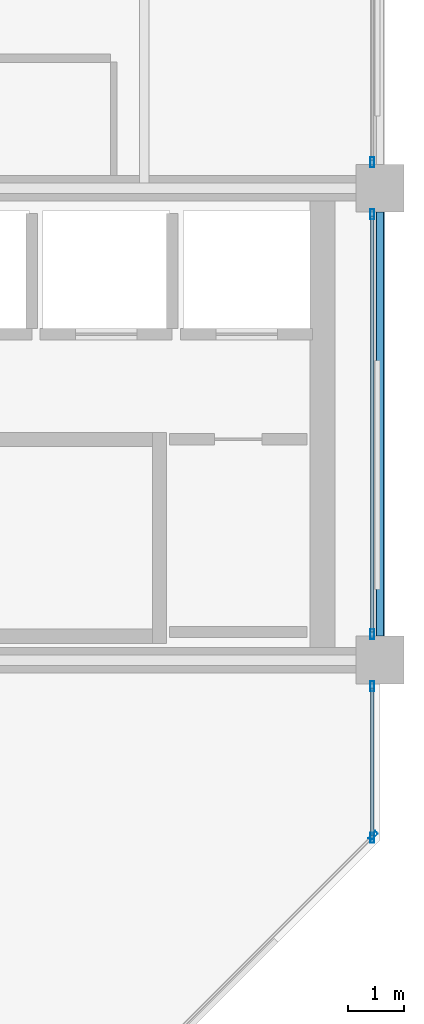
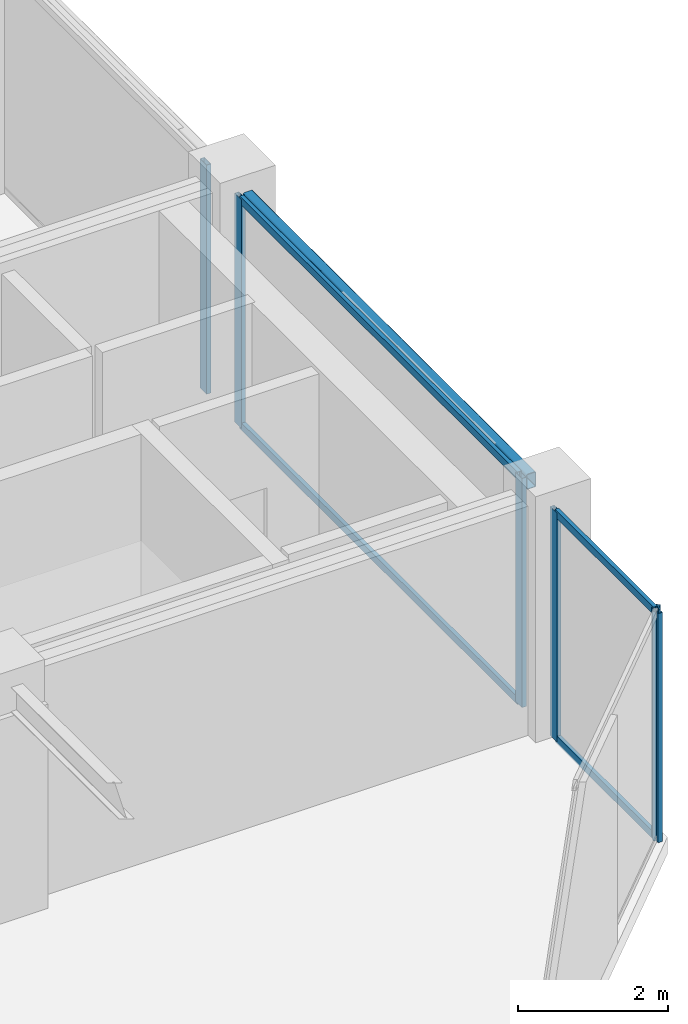
# One storey, part 14 of 24: 10 members, 1 beam, 4 elements without a shape of their own.
"""IFC4 building model written with IfcOpenShell, lengths in metres."""

from ifc_helpers import new_model, si_unit, direction, frame, origin, origin_2d, place, context, subcontext, project, spatial, hollow_rectangle, extrude, material, layer, layer_set, material_profile, profile_set, type_object, element, aggregate, save


model = new_model("IFC4")

# Units and contexts
model_context = context("Model", 3, precision=1e-05, world=origin(), true_north=direction((0.0, 1.0)))
body_context = subcontext(model_context, "Body", "Model", "MODEL_VIEW")
ifc_project = project(units=[si_unit("LENGTHUNIT", "METRE"), si_unit("AREAUNIT", "SQUARE_METRE"), si_unit("VOLUMEUNIT", "CUBIC_METRE"), si_unit("PLANEANGLEUNIT", "RADIAN"), si_unit("MASSUNIT", "GRAM", prefix="KILO")], contexts=[model_context])

# Site, building, storey
site_placement = place(None, origin())
site = spatial("IfcSite", under=ifc_project, at=site_placement, CompositionType="ELEMENT")
building_placement = place(site_placement, origin())
building = spatial("IfcBuilding", under=site, at=building_placement, Name="Nerrivon Quay Data Exchange", CompositionType="ELEMENT")
storey_placement = place(building_placement, frame((0.0, 0.0, 294.199951171875)))
storey = spatial("IfcBuildingStorey", under=building, at=storey_placement, Name="L70", CompositionType="ELEMENT", Elevation=294.199951171875)

# Beam
ifc_material_1 = material(Name="Steel Grade C350L0 (350 MPa)", Category="steel")
ifc_material_profile_1 = material_profile(ifc_material_1, hollow_rectangle(XDim=0.14990234375, YDim=0.25, WallThickness=0.009033203125, InnerFilletRadius=0.013427734375, OuterFilletRadius=0.0224609375, at=origin_2d()), Name="250x150x9.0RHS")
ifc_profile_set_1 = profile_set([ifc_material_profile_1], Name="Steel Grade C350L0 (350 MPa)")
beam_type = type_object("IfcBeamType", Name="BM-SP4-250x150RHS", PredefinedType="SPANDREL", material=ifc_profile_set_1)
beam_placement = place(storey_placement, frame((33.60009765625, 8.824951171875, 3.60009765625), z_axis=(0.0, 1.0, 0.0), x_axis=(-1.0, 0.0, 0.0)))
element("IfcBeam", 1, at=beam_placement, inside=storey, type_object=beam_type, Name="L70 NS Girder X=33.6 (8.4..16.8)", PredefinedType="SPANDREL", context=body_context, shape_type="SweptSolid", body=[
    extrude(hollow_rectangle(XDim=0.14990234375, YDim=0.25, WallThickness=0.009033203125, InnerFilletRadius=0.013427734375, OuterFilletRadius=0.0224609375, at=origin_2d()), origin(), (0.0, 0.0, 1.0), 7.550048828125),
])

# Curtain wall, member
ifc_material_2 = material(Name="Anodised aluminium 6063-T6", Category="aluminium")
ifc_layer = layer(ifc_material_2, 0.195068359375)
ifc_layer_set = layer_set([ifc_layer], Name="Anodised aluminium 6063-T6")
curtain_wall_type = type_object("IfcCurtainWallType", Name="CW-SYS-06", PredefinedType="NOTDEFINED", material=ifc_layer_set)
curtain_wall_1_placement = place(storey_placement, origin())
curtain_wall_1 = element("IfcCurtainWall", 2, at=curtain_wall_1_placement, inside=storey, type_object=curtain_wall_type, Name="L70 Unitised Curtain Wall 1", PredefinedType="NOTDEFINED")
ifc_material_profile_2 = material_profile(ifc_material_2, hollow_rectangle(XDim=0.06494140625, YDim=0.179931640625, WallThickness=0.00341796875, at=origin_2d()), Name="ALU-MULL-180x65")
ifc_profile_set_2 = profile_set([ifc_material_profile_2], Name="Anodised aluminium 6063-T6")
member_type_1 = type_object("IfcMemberType", Name="CWM-180x65", PredefinedType="MULLION", material=ifc_profile_set_2)
member_1_placement = place(storey_placement, frame((33.474365234375, 5.2724609375, 0.0), z_axis=(0.0, 0.0, 1.0), x_axis=(0.707106781187, -0.707106781187, 0.0)))
member_1 = element("IfcMember", 3, at=member_1_placement, type_object=member_type_1, Name="CW06 mullion 1", PredefinedType="MULLION", context=body_context, shape_type="SweptSolid", body=[
    extrude(hollow_rectangle(XDim=0.06494140625, YDim=0.179931640625, WallThickness=0.00341796875, at=origin_2d()), origin(), (0.0, 0.0, 1.0), 3.72509765625),
])
aggregate(curtain_wall_1, [member_1])

curtain_wall_2_placement = place(storey_placement, origin())
curtain_wall_2 = element("IfcCurtainWall", 4, at=curtain_wall_2_placement, inside=storey, type_object=curtain_wall_type, Name="L70 Unitised Curtain Wall 22", PredefinedType="NOTDEFINED")
member_2_placement = place(storey_placement, frame((33.4599609375, 17.262451171875, 0.0), z_axis=(0.0, 0.0, 1.0), x_axis=(1.0, 0.0, 0.0)))
member_2 = element("IfcMember", 5, at=member_2_placement, type_object=member_type_1, Name="CW06 mullion 2", PredefinedType="MULLION", context=body_context, shape_type="SweptSolid", body=[
    extrude(hollow_rectangle(XDim=0.06494140625, YDim=0.179931640625, WallThickness=0.00341796875, at=origin_2d()), origin(), (0.0, 0.0, 1.0), 3.72509765625),
])
aggregate(curtain_wall_2, [member_2])

# Curtain wall, members
curtain_wall_3_placement = place(storey_placement, origin())
curtain_wall_3 = element("IfcCurtainWall", 6, at=curtain_wall_3_placement, inside=storey, type_object=curtain_wall_type, Name="L70 Unitised Curtain Wall 23", PredefinedType="NOTDEFINED")
member_3_placement = place(storey_placement, frame((33.4599609375, 16.33740234375, 0.0), z_axis=(0.0, 0.0, 1.0), x_axis=(1.0, 0.0, 0.0)))
member_3 = element("IfcMember", 7, at=member_3_placement, type_object=member_type_1, Name="CW06 mullion 1", PredefinedType="MULLION", context=body_context, shape_type="SweptSolid", body=[
    extrude(hollow_rectangle(XDim=0.06494140625, YDim=0.179931640625, WallThickness=0.00341796875, at=origin_2d()), origin(), (0.0, 0.0, 1.0), 3.72509765625),
])
member_4_placement = place(storey_placement, frame((33.4599609375, 8.862548828125, 0.0), z_axis=(0.0, 0.0, 1.0), x_axis=(1.0, 0.0, 0.0)))
member_4 = element("IfcMember", 8, at=member_4_placement, type_object=member_type_1, Name="CW06 mullion 2", PredefinedType="MULLION", context=body_context, shape_type="SweptSolid", body=[
    extrude(hollow_rectangle(XDim=0.06494140625, YDim=0.179931640625, WallThickness=0.00341796875, at=origin_2d()), origin(), (0.0, 0.0, 1.0), 3.72509765625),
])

curtain_wall_4_placement = place(storey_placement, origin())
curtain_wall_4 = element("IfcCurtainWall", 9, at=curtain_wall_4_placement, inside=storey, type_object=curtain_wall_type, Name="L70 Unitised Curtain Wall 24", PredefinedType="NOTDEFINED")
member_5_placement = place(storey_placement, frame((33.4599609375, 7.9375, 0.0), z_axis=(0.0, 0.0, 1.0), x_axis=(1.0, 0.0, 0.0)))
member_5 = element("IfcMember", 10, at=member_5_placement, type_object=member_type_1, Name="CW06 mullion 1", PredefinedType="MULLION", context=body_context, shape_type="SweptSolid", body=[
    extrude(hollow_rectangle(XDim=0.06494140625, YDim=0.179931640625, WallThickness=0.00341796875, at=origin_2d()), origin(), (0.0, 0.0, 1.0), 3.72509765625),
])
member_6_placement = place(storey_placement, frame((33.4599609375, 5.237548828125, 0.0), z_axis=(0.0, 0.0, 1.0), x_axis=(1.0, 0.0, 0.0)))
member_6 = element("IfcMember", 11, at=member_6_placement, type_object=member_type_1, Name="CW06 mullion 2", PredefinedType="MULLION", context=body_context, shape_type="SweptSolid", body=[
    extrude(hollow_rectangle(XDim=0.06494140625, YDim=0.179931640625, WallThickness=0.00341796875, at=origin_2d()), origin(), (0.0, 0.0, 1.0), 3.72509765625),
])

# Member
ifc_material_profile_3 = material_profile(ifc_material_2, hollow_rectangle(XDim=0.06005859375, YDim=0.1201171875, WallThickness=0.003173828125, at=origin_2d()), Name="ALU-TRAN-120x60")
ifc_profile_set_3 = profile_set([ifc_material_profile_3], Name="Anodised aluminium 6063-T6")
member_type_2 = type_object("IfcMemberType", Name="CWT-120x60", PredefinedType="USERDEFINED", material=ifc_profile_set_3)
member_7_placement = place(storey_placement, frame((33.4599609375, 16.300048828125, 0.032470703125), z_axis=(0.0, -1.0, 0.0), x_axis=(1.0, 0.0, 0.0)))
member_7 = element("IfcMember", 12, at=member_7_placement, type_object=member_type_2, Name="CW06 transom 1.1", ObjectType="TRANSOM", PredefinedType="USERDEFINED", context=body_context, shape_type="SweptSolid", body=[
    extrude(hollow_rectangle(XDim=0.06005859375, YDim=0.1201171875, WallThickness=0.003173828125, at=origin_2d()), origin(), (0.0, 0.0, 1.0), 7.400146484375),
])

member_8_placement = place(storey_placement, frame((33.4599609375, 16.300048828125, 3.692626953125), z_axis=(0.0, -1.0, 0.0), x_axis=(1.0, 0.0, 0.0)))
member_8 = element("IfcMember", 13, at=member_8_placement, type_object=member_type_2, Name="CW06 transom 1.2", ObjectType="TRANSOM", PredefinedType="USERDEFINED", context=body_context, shape_type="SweptSolid", body=[
    extrude(hollow_rectangle(XDim=0.06005859375, YDim=0.1201171875, WallThickness=0.003173828125, at=origin_2d()), origin(), (0.0, 0.0, 1.0), 7.400146484375),
])

aggregate(curtain_wall_3, [member_3, member_4, member_7, member_8])

member_9_placement = place(storey_placement, frame((33.4599609375, 7.89990234375, 0.032470703125), z_axis=(0.0, -1.0, 0.0), x_axis=(1.0, 0.0, 0.0)))
member_9 = element("IfcMember", 14, at=member_9_placement, type_object=member_type_2, Name="CW06 transom 1.1", ObjectType="TRANSOM", PredefinedType="USERDEFINED", context=body_context, shape_type="SweptSolid", body=[
    extrude(hollow_rectangle(XDim=0.06005859375, YDim=0.1201171875, WallThickness=0.003173828125, at=origin_2d()), origin(), (0.0, 0.0, 1.0), 2.625),
])

member_10_placement = place(storey_placement, frame((33.4599609375, 7.89990234375, 3.692626953125), z_axis=(0.0, -1.0, 0.0), x_axis=(1.0, 0.0, 0.0)))
member_10 = element("IfcMember", 15, at=member_10_placement, type_object=member_type_2, Name="CW06 transom 1.2", ObjectType="TRANSOM", PredefinedType="USERDEFINED", context=body_context, shape_type="SweptSolid", body=[
    extrude(hollow_rectangle(XDim=0.06005859375, YDim=0.1201171875, WallThickness=0.003173828125, at=origin_2d()), origin(), (0.0, 0.0, 1.0), 2.625),
])

aggregate(curtain_wall_4, [member_5, member_6, member_9, member_10])

save(model, "model.ifc")
